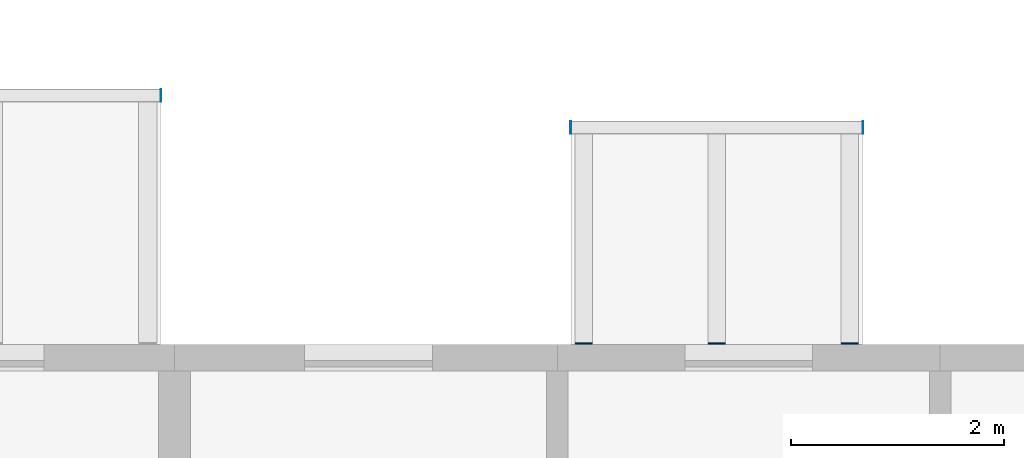
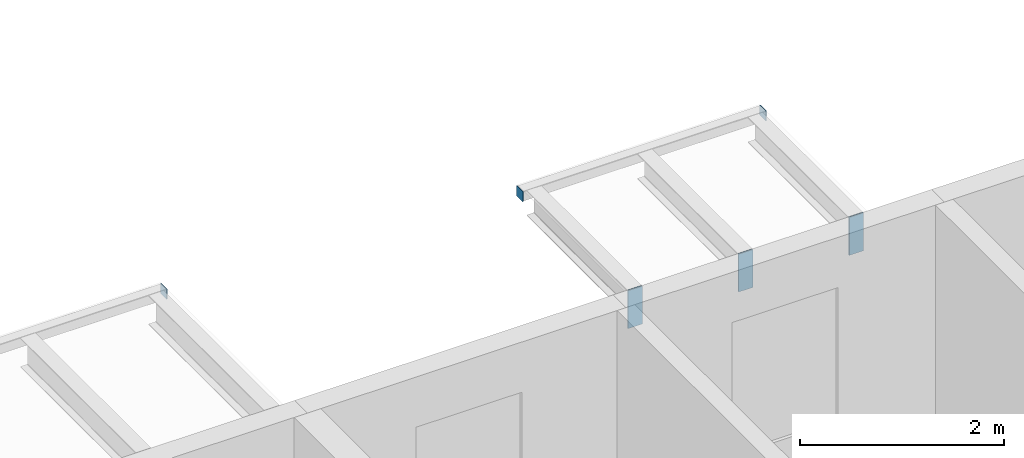
# One storey, part 67 of 94: 6 discrete accessories.
"""IFC4 building model written with IfcOpenShell, lengths in metres."""

from ifc_helpers import new_model, si_unit, direction, frame, origin, origin_2d, place, context, subcontext, project, spatial, rectangle, extrude, material, layer, layer_set, type_object, element, save


model = new_model("IFC4")

# Units and contexts
model_context = context("Model", 3, precision=1e-05, world=origin(), true_north=direction((0.0, 1.0)))
body_context = subcontext(model_context, "Body", "Model", "MODEL_VIEW")
ifc_project = project(units=[si_unit("LENGTHUNIT", "METRE"), si_unit("AREAUNIT", "SQUARE_METRE"), si_unit("VOLUMEUNIT", "CUBIC_METRE"), si_unit("PLANEANGLEUNIT", "RADIAN"), si_unit("MASSUNIT", "GRAM", prefix="KILO")], contexts=[model_context])

# Site, building, storey
site_placement = place(None, origin())
site = spatial("IfcSite", under=ifc_project, at=site_placement, CompositionType="ELEMENT")
building_placement = place(site_placement, origin())
building = spatial("IfcBuilding", under=site, at=building_placement, Name="Ridgestep Commons", CompositionType="ELEMENT")
storey_placement = place(building_placement, frame((0.0, 0.0, 24.0)))
storey = spatial("IfcBuildingStorey", under=building, at=storey_placement, Name="L08", CompositionType="ELEMENT", Elevation=24.0)

# Discrete accessories
ifc_material_1 = material(Name="Weathering steel S355J2W", Category="steel")
ifc_layer_1 = layer(ifc_material_1, 0.014892578125)
ifc_layer_set_1 = layer_set([ifc_layer_1], Name="Tray bracket plate 15")
discrete_accessory_type_1 = type_object("IfcDiscreteAccessoryType", Name="Tray bracket plate 15", PredefinedType="BRACKET", material=ifc_layer_set_1)
for number, where, z_axis, x_axis, name in (
    (1, (66.25, 23.007568359375, 2.53662109375), (0.0, 0.0, 1.0), (1.0, 0.0, 0.0), "Tray bracket A4T2-09.1"),
    (2, (67.5, 23.007568359375, 2.53662109375), (0.0, 0.0, 1.0), (1.0, 0.0, 0.0), "Tray bracket A4T2-09.2"),
    (3, (68.75, 23.007568359375, 2.53662109375), (0.0, 0.0, 1.0), (1.0, 0.0, 0.0), "Tray bracket A4T2-09.3"),
):
    element("IfcDiscreteAccessory", number, at=place(storey_placement, frame(where, z_axis=z_axis, x_axis=x_axis)), inside=storey, type_object=discrete_accessory_type_1, Name=name, PredefinedType="BRACKET", context=body_context, shape_type="SweptSolid", body=[
        extrude(rectangle(XDim=0.159912109375, YDim=0.014892578125, at=origin_2d()), origin(), (0.0, 0.0, 1.0), 0.453369140625),
    ])
ifc_material_2 = material(Name="Weathering steel S355J2W", Category="steel")
ifc_layer_2 = layer(ifc_material_2, 0.008056640625)
ifc_layer_set_2 = layer_set([ifc_layer_2], Name="Tray edge member end plate 120 x 120 x 8")
discrete_accessory_type_2 = type_object("IfcDiscreteAccessoryType", Name="Tray edge member end plate 120 x 120 x 8", PredefinedType="BRACKET", material=ifc_layer_set_2)
for number, where, z_axis, x_axis, name in (
    (4, (62.27392578125, 25.340087890625, 2.869873046875), (0.0, 0.0, 1.0), (1.0, 0.0, 0.0), "Tray edge member end plate A3T1-09 east"),
    (5, (66.1259765625, 25.0400390625, 2.869873046875), (0.0, 0.0, 1.0), (1.0, 0.0, 0.0), "Tray edge member end plate A4T2-09 west"),
    (6, (68.8740234375, 25.0400390625, 2.869873046875), (0.0, 0.0, 1.0), (1.0, 0.0, 0.0), "Tray edge member end plate A4T2-09 east"),
):
    element("IfcDiscreteAccessory", number, at=place(storey_placement, frame(where, z_axis=z_axis, x_axis=x_axis)), inside=storey, type_object=discrete_accessory_type_2, Name=name, PredefinedType="BRACKET", context=body_context, shape_type="SweptSolid", body=[
        extrude(rectangle(XDim=0.008056640625, YDim=0.1201171875, at=origin_2d()), origin(), (0.0, 0.0, 1.0), 0.1201171875),
    ])

save(model, "model.ifc")
